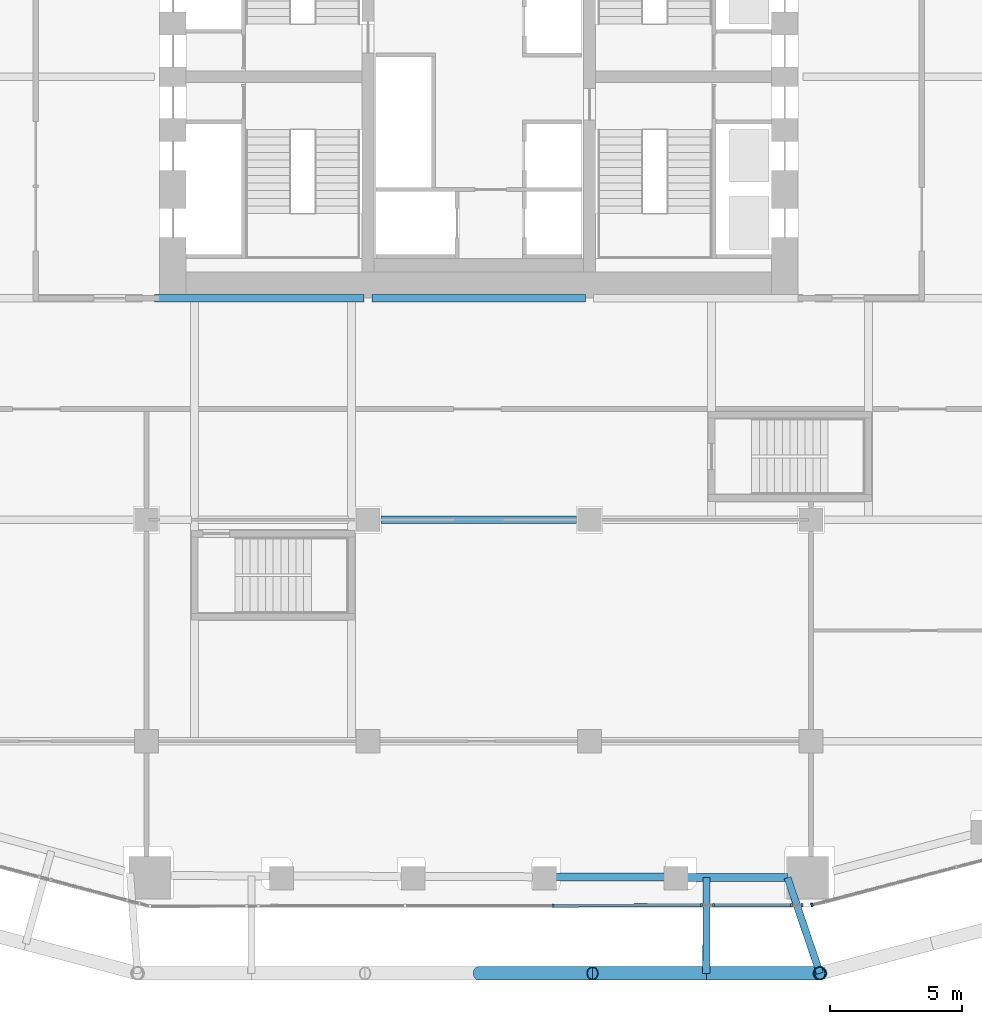
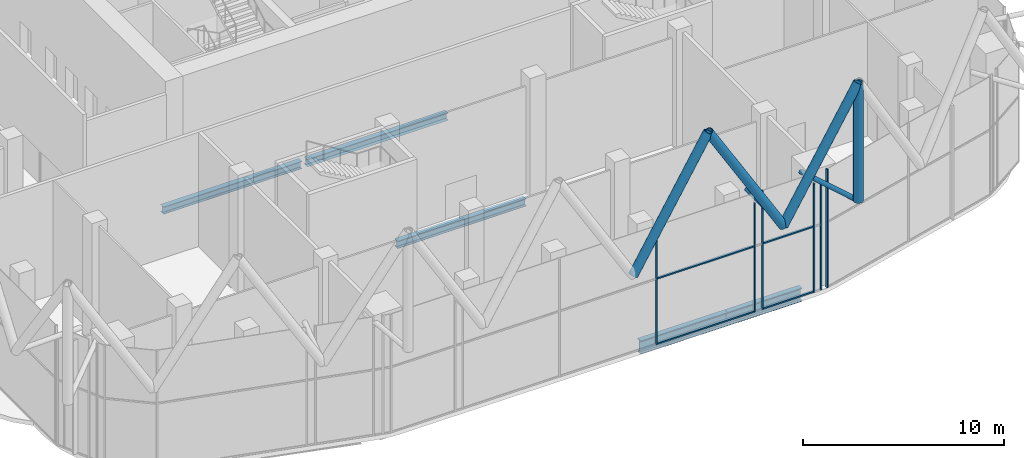
# One storey, part 5 of 34: 16 members, 5 beams, 5 elements without a shape of their own.
"""IFC4 building model written with IfcOpenShell, lengths in metres."""

import ifcopenshell
import ifcopenshell.guid

model = None  # the IFC model being written
_history = None  # IfcOwnerHistory: only IFC2X3 demands one
_inside = {}  # id of a spatial element -> (the spatial element, [elements in it])
_under = {}  # id of a project, library or spatial element -> (it, [spatial elements below it])
_declared = {}  # id of a project -> (the project, [libraries it declares])
_typed = {}  # id of a type object -> (the type object, [elements of that type])
_made_of = {}  # id of a material, layer set ... -> (it, [elements and type objects made of it])


def new_model(schema):
    """Start an empty IFC model of exactly this schema.

    Asked for "IFC4X3", IfcOpenShell would pick the latest addendum, in which some entities
    have other attributes; the version numbers below select the first issue.
    IFC2X3 requires an IfcOwnerHistory on every rooted entity: one is made here for all.
    """
    global model, _history
    if schema == "IFC4X3":
        model = ifcopenshell.file(schema_version=(4, 3, 0, 0))
    else:
        model = ifcopenshell.file(schema=schema)
    _inside.clear()
    _under.clear()
    _declared.clear()
    _typed.clear()
    _made_of.clear()
    _history = None
    if model.schema == "IFC2X3":
        org = make("IfcOrganization", Name="unknown")
        user = make(
            "IfcPersonAndOrganization",
            ThePerson=make("IfcPerson", FamilyName="unknown"),
            TheOrganization=org,
        )
        app = make(
            "IfcApplication",
            ApplicationDeveloper=org,
            Version="unknown",
            ApplicationFullName="unknown",
            ApplicationIdentifier="unknown",
        )
        _history = make(
            "IfcOwnerHistory",
            OwningUser=user,
            OwningApplication=app,
            ChangeAction="ADDED",
            CreationDate=0,
        )
    return model


def make(cls, **values):
    """One entity of the class cls with the attributes given. An attribute that is None is left unset."""
    return model.create_entity(
        cls, **{name: value for name, value in values.items() if value is not None}
    )


def rooted(cls, **values):
    """An entity with a GlobalId (a new one), such as an element, a storey or a relation."""
    return make(cls, GlobalId=ifcopenshell.guid.new(), OwnerHistory=_history, **values)


def si_unit(unit_type, name, prefix=None):
    """IfcSIUnit, for example si_unit("LENGTHUNIT", "METRE", prefix="MILLI")."""
    return make("IfcSIUnit", UnitType=unit_type, Prefix=prefix, Name=name)


def assignment(units):
    """IfcUnitAssignment: the units of a project."""
    return None if units is None else make("IfcUnitAssignment", Units=units)


def point(xyz):
    """IfcCartesianPoint."""
    return None if xyz is None else make("IfcCartesianPoint", Coordinates=xyz)


def direction(xyz):
    """IfcDirection."""
    return None if xyz is None else make("IfcDirection", DirectionRatios=xyz)


def frame(location, z_axis=None, x_axis=None):
    """IfcAxis2Placement3D, a coordinate frame: its origin and axes. An axis left out is left unset."""
    return make(
        "IfcAxis2Placement3D",
        Location=point(location),
        Axis=direction(z_axis),
        RefDirection=direction(x_axis),
    )


def frame_2d(location, x_axis=None):
    """IfcAxis2Placement2D, a coordinate frame in the plane: its origin and x axis."""
    return make(
        "IfcAxis2Placement2D", Location=point(location), RefDirection=direction(x_axis)
    )


def origin():
    """The frame at (0, 0, 0) with its axes left unset."""
    return frame((0.0, 0.0, 0.0))


def origin_2d():
    """The frame at (0, 0) in the plane with its x axis left unset."""
    return frame_2d((0.0, 0.0))


def place(relative_to, where):
    """IfcLocalPlacement: puts the frame where relative to a parent placement (None: the world)."""
    return make(
        "IfcLocalPlacement", PlacementRelTo=relative_to, RelativePlacement=where
    )


def context(
    kind, dimensions, precision=None, world=None, true_north=None, identifier=None
):
    """IfcGeometricRepresentationContext, for example the 3D "Model" context."""
    return make(
        "IfcGeometricRepresentationContext",
        ContextIdentifier=identifier,
        ContextType=kind,
        CoordinateSpaceDimension=dimensions,
        Precision=precision,
        WorldCoordinateSystem=world,
        TrueNorth=true_north,
    )


def subcontext(parent, identifier, kind, view, scale=None):
    """IfcGeometricRepresentationSubContext, for example "Body" below "Model"."""
    return make(
        "IfcGeometricRepresentationSubContext",
        ContextIdentifier=identifier,
        ContextType=kind,
        ParentContext=parent,
        TargetScale=scale,
        TargetView=view,
    )


def project(units=None, contexts=None):
    """IfcProject with its units and contexts."""
    return rooted(
        "IfcProject",
        Name="project",
        RepresentationContexts=contexts,
        UnitsInContext=assignment(units),
    )


def spatial(cls, under=None, at=None, **own):
    """A site, building, storey or space (cls), placed at a placement, below another one or the project."""
    s = rooted(cls, ObjectPlacement=at, **own)
    if under is not None:
        _under.setdefault(under.id(), (under, []))[1].append(s)
    return s


def profile(cls, at=None, kind="AREA", **sizes):
    """A parametric profile (cls). Its sizes go by their IFC names, for example OverallWidth=200.0."""
    return make(cls, ProfileType=kind, Position=at, **sizes)


def rectangle(**sizes):
    """IfcRectangleProfileDef."""
    return profile("IfcRectangleProfileDef", **sizes)


def hollow_circle(**sizes):
    """IfcCircleHollowProfileDef."""
    return profile("IfcCircleHollowProfileDef", **sizes)


def i_section(**sizes):
    """IfcIShapeProfileDef."""
    return profile("IfcIShapeProfileDef", **sizes)


def extrude(swept, where, along, depth):
    """IfcExtrudedAreaSolid: the profile swept, set in the frame where, extruded along a direction by depth."""
    return make(
        "IfcExtrudedAreaSolid",
        SweptArea=swept,
        Position=where,
        ExtrudedDirection=direction(along),
        Depth=depth,
    )


def shape(context_of_items, identifier, shape_type, items):
    """IfcShapeRepresentation: the items that make up one representation, for example the "Body"."""
    return make(
        "IfcShapeRepresentation",
        ContextOfItems=context_of_items,
        RepresentationIdentifier=identifier,
        RepresentationType=shape_type,
        Items=items,
    )


def material(Name=None, Category=None):
    """IfcMaterial."""
    return make("IfcMaterial", Name=Name, Category=Category)


def layer(
    of_material, thickness, ventilated=None, Name=None, Category=None, Priority=None
):
    """IfcMaterialLayer: one layer of a wall or slab, of a material (None: an air gap)."""
    return make(
        "IfcMaterialLayer",
        Material=of_material,
        LayerThickness=thickness,
        IsVentilated=ventilated,
        Name=Name,
        Category=Category,
        Priority=Priority,
    )


def layer_set(layers, Name=None):
    """IfcMaterialLayerSet."""
    return make("IfcMaterialLayerSet", MaterialLayers=layers, LayerSetName=Name)


def material_profile(
    of_material, cross_section, Name=None, Category=None, Priority=None
):
    """IfcMaterialProfile: a cross section and its material."""
    return make(
        "IfcMaterialProfile",
        Name=Name,
        Material=of_material,
        Profile=cross_section,
        Priority=Priority,
        Category=Category,
    )


def profile_set(profiles, Name=None, composite=None):
    """IfcMaterialProfileSet."""
    return make(
        "IfcMaterialProfileSet",
        Name=Name,
        MaterialProfiles=profiles,
        CompositeProfile=composite,
    )


def made_of(thing, what):
    """Note that an element or type object is made of a material, layer set ...; save() writes the relation."""
    if what is not None:
        _made_of.setdefault(what.id(), (what, []))[1].append(thing)
    return thing


def type_object(cls, material=None, **own):
    """A type object (cls), such as IfcWallType, which elements share."""
    return made_of(rooted(cls, **own), material)


def element(
    cls,
    number,
    at=None,
    inside=None,
    cuts=None,
    type_object=None,
    material=None,
    context=None,
    identifier="Body",
    shape_type=None,
    held_by="IfcProductDefinitionShape",
    body=None,
    shapes=None,
    **own,
):
    """One element of the class cls, such as IfcWall. Its Tag is "e" and its number.

    at: its placement. inside: the storey or other place that contains it. cuts: it is an
    opening in that element (IfcRelVoidsElement). A single representation is given by context,
    identifier, shape_type and body (its items); several are given by shapes. held_by: the class
    of the entity that holds the representations. save() writes the other relations.
    """
    e = rooted(cls, Tag="e%d" % number, ObjectPlacement=at, **own)
    if body is not None:
        shapes = [shape(context, identifier, shape_type, body)]
    if shapes is not None:
        e.Representation = make(held_by, Representations=shapes)
    if inside is not None:
        _inside.setdefault(inside.id(), (inside, []))[1].append(e)
    if cuts is not None:
        rooted(
            "IfcRelVoidsElement", RelatingBuildingElement=cuts, RelatedOpeningElement=e
        )
    if type_object is not None:
        _typed.setdefault(type_object.id(), (type_object, []))[1].append(e)
    return made_of(e, material)


def aggregate(whole, parts):
    """IfcRelAggregates: a whole, such as a stair, and the parts it consists of."""
    return rooted("IfcRelAggregates", RelatingObject=whole, RelatedObjects=parts)


def save(model, path):
    """Write the relations noted so far, then the file.

    IfcRelAggregates (storeys below a building ...), IfcRelContainedInSpatialStructure (elements
    in a storey), IfcRelDefinesByType, IfcRelAssociatesMaterial and IfcRelDeclares: one each for
    every whole, place, type object, material and project.
    """
    for whole, parts in _under.values():
        aggregate(whole, parts)
    for where, things in _inside.values():
        rooted(
            "IfcRelContainedInSpatialStructure",
            RelatedElements=things,
            RelatingStructure=where,
        )
    for kind, things in _typed.values():
        rooted("IfcRelDefinesByType", RelatedObjects=things, RelatingType=kind)
    for what, things in _made_of.values():
        rooted("IfcRelAssociatesMaterial", RelatedObjects=things, RelatingMaterial=what)
    for by, libraries in _declared.values():
        rooted("IfcRelDeclares", RelatingContext=by, RelatedDefinitions=libraries)
    model.write(path)


model = new_model("IFC4")

# Units and contexts
model_context = context("Model", 3, precision=1e-05, world=origin(), true_north=direction((0.0, 1.0)))
body_context = subcontext(model_context, "Body", "Model", "MODEL_VIEW")
ifc_project = project(units=[si_unit("LENGTHUNIT", "METRE"), si_unit("AREAUNIT", "SQUARE_METRE"), si_unit("VOLUMEUNIT", "CUBIC_METRE"), si_unit("PLANEANGLEUNIT", "RADIAN"), si_unit("MASSUNIT", "GRAM", prefix="KILO")], contexts=[model_context])

# Site, building, storey
site_placement = place(None, origin())
site = spatial("IfcSite", under=ifc_project, at=site_placement, CompositionType="ELEMENT")
building_placement = place(site_placement, origin())
building = spatial("IfcBuilding", under=site, at=building_placement, Name="Marenta Gate Hotel Tower", CompositionType="ELEMENT")
storey_placement = place(building_placement, frame((0.0, 0.0, 97.699951171875)))
storey = spatial("IfcBuildingStorey", under=building, at=storey_placement, Name="L21", CompositionType="ELEMENT", Elevation=97.699951171875)

# Members
ifc_material_1 = material(Name="Steel S355J2W", Category="steel")
ifc_material_profile_1 = material_profile(ifc_material_1, hollow_circle(Radius=0.25390625, WallThickness=0.02490234375, at=origin_2d()), Name="CHS 508x25")
ifc_profile_set_1 = profile_set([ifc_material_profile_1], Name="Steel S355J2W")
member_type_1 = type_object("IfcMemberType", Name="Diagrid corner post Z2 CHS 508x25", PredefinedType="POST", material=ifc_profile_set_1)
member_1_placement = place(storey_placement, frame((12.93896484375, -25.60009765625, 6.739990234375), z_axis=(0.0, 0.0, 1.0), x_axis=(1.0, 0.0, 0.0)))
element("IfcMember", 1, at=member_1_placement, inside=storey, type_object=member_type_1, Name="L21-DR-3", PredefinedType="POST", context=body_context, shape_type="SweptSolid", body=[
    extrude(hollow_circle(Radius=0.25390625, WallThickness=0.02490234375, at=origin_2d()), origin(), (0.0, 0.0, 1.0), 7.199951171875),
])
ifc_material_2 = material(Name="Steel S355J2W", Category="steel")
ifc_material_profile_2 = material_profile(ifc_material_2, hollow_circle(Radius=0.25390625, WallThickness=0.0400390625, at=origin_2d()), Name="CHS 508x40")
ifc_profile_set_2 = profile_set([ifc_material_profile_2], Name="Steel S355J2W")
member_type_2 = type_object("IfcMemberType", Name="Diagrid diagonal Z2 CHS 508x40", PredefinedType="BRACE", material=ifc_profile_set_2)
for number, where, z_axis, x_axis, name in (
    (2, (8.6259765625, -25.60009765625, 6.739990234375), (0.513883902774, 0.0, 0.857859740558), (0.0, 1.0, 0.0), "L21-DG-15"),
    (3, (8.6259765625, -25.60009765625, 6.739990234375), (-0.513883902774, 0.0, 0.857859740558), (0.0, -1.0, 0.0), "L21-DG-16"),
    (4, (0.0, -25.60009765625, 6.739990234375), (0.513883902774, 0.0, 0.857859740558), (0.0, 1.0, 0.0), "L21-DG-17"),
):
    element("IfcMember", number, at=place(storey_placement, frame(where, z_axis=z_axis, x_axis=x_axis)), inside=storey, type_object=member_type_2, Name=name, PredefinedType="BRACE", context=body_context, shape_type="SweptSolid", body=[
        extrude(hollow_circle(Radius=0.25390625, WallThickness=0.0400390625, at=origin_2d()), origin(), (0.0, 0.0, 1.0), 8.392822265625),
    ])

# Beams
ifc_material_3 = material(Name="Steel S355", Category="steel")
ifc_material_profile_3 = material_profile(ifc_material_3, i_section(OverallWidth=0.302978515625, OverallDepth=0.81396484375, WebThickness=0.030029296875, FlangeThickness=0.052001953125, FilletRadius=0.030029296875, at=origin_2d()), Name="HEM 800")
ifc_profile_set_3 = profile_set([ifc_material_profile_3], Name="Steel S355")
beam_type_1 = type_object("IfcBeamType", Name="Edge beam HEM 800", PredefinedType="SPANDREL", material=ifc_profile_set_3)
beam_1_placement = place(storey_placement, frame((11.715087890625, -21.97021484375, -0.6669921875), z_axis=(-0.999994885886, 0.003198156117, 0.0), x_axis=(-0.003198156117, -0.999994885886, 0.0)))
element("IfcBeam", 5, at=beam_1_placement, inside=storey, type_object=beam_type_1, Name="L21-EB-30", PredefinedType="SPANDREL", context=body_context, shape_type="SweptSolid", body=[
    extrude(i_section(OverallWidth=0.302978515625, OverallDepth=0.81396484375, WebThickness=0.030029296875, FlangeThickness=0.052001953125, FilletRadius=0.030029296875, at=origin_2d()), origin(), (0.0, 0.0, 1.0), 4.27490234375),
])
beam_2_placement = place(storey_placement, frame((7.520263671875, -21.956787109375, -0.6669921875), z_axis=(-0.999994943002, 0.003180247012, 0.0), x_axis=(-0.003180247012, -0.999994943002, 0.0)))
element("IfcBeam", 6, at=beam_2_placement, inside=storey, type_object=beam_type_1, Name="L21-EB-31", PredefinedType="SPANDREL", context=body_context, shape_type="SweptSolid", body=[
    extrude(i_section(OverallWidth=0.302978515625, OverallDepth=0.81396484375, WebThickness=0.030029296875, FlangeThickness=0.052001953125, FilletRadius=0.030029296875, at=origin_2d()), origin(), (0.0, 0.0, 1.0), 5.066650390625),
])

# Members
ifc_material_4 = material(Name="Steel S355J2W", Category="steel")
ifc_material_profile_4 = material_profile(ifc_material_4, hollow_circle(Radius=0.136474609375, WallThickness=0.012451171875, at=origin_2d()), Name="CHS 273x12.5")
ifc_profile_set_4 = profile_set([ifc_material_profile_4], Name="Steel S355J2W")
member_type_3 = type_object("IfcMemberType", Name="Floor tie CHS 273x12.5", PredefinedType="STRUT", material=ifc_profile_set_4)
member_2_placement = place(storey_placement, frame((12.93896484375, -25.60009765625, 6.739990234375), z_axis=(-0.321582426358, 0.94688158872, 0.0), x_axis=(-0.94688158872, -0.321582426358, 0.0)))
element("IfcMember", 7, at=member_2_placement, inside=storey, type_object=member_type_3, Name="L21-DR-13", PredefinedType="STRUT", context=body_context, shape_type="SweptSolid", body=[
    extrude(hollow_circle(Radius=0.136474609375, WallThickness=0.012451171875, at=origin_2d()), origin(), (0.0, 0.0, 1.0), 3.826171875),
])
member_3_placement = place(storey_placement, frame((8.6259765625, -25.60009765625, 6.739990234375), z_axis=(0.003225789668, 0.999994797127, 0.0), x_axis=(-0.999994797127, 0.003225789668, 0.0)))
element("IfcMember", 8, at=member_3_placement, inside=storey, type_object=member_type_3, Name="L21-DR-14", PredefinedType="STRUT", context=body_context, shape_type="SweptSolid", body=[
    extrude(hollow_circle(Radius=0.136474609375, WallThickness=0.012451171875, at=origin_2d()), origin(), (0.0, 0.0, 1.0), 3.6328125),
])

# Beams
ifc_material_5 = material(Name="Steel S355", Category="steel")
ifc_material_profile_5 = material_profile(ifc_material_5, i_section(OverallWidth=0.300048828125, OverallDepth=0.449951171875, WebThickness=0.013916015625, FlangeThickness=0.02587890625, FilletRadius=0.027099609375, at=origin_2d()), Name="HEB 450")
ifc_profile_set_5 = profile_set([ifc_material_profile_5], Name="Steel S355")
beam_type_2 = type_object("IfcBeamType", Name="Girder HEB 450", PredefinedType="BEAM", material=ifc_profile_set_5)
beam_3_placement = place(storey_placement, frame((-3.699951171875, -8.39990234375, -0.48486328125), z_axis=(1.0, 0.0, 0.0), x_axis=(0.0, 1.0, 0.0)))
element("IfcBeam", 9, at=beam_3_placement, inside=storey, type_object=beam_type_2, Name="L21-GD-12", PredefinedType="BEAM", context=body_context, shape_type="SweptSolid", body=[
    extrude(i_section(OverallWidth=0.300048828125, OverallDepth=0.449951171875, WebThickness=0.013916015625, FlangeThickness=0.02587890625, FilletRadius=0.027099609375, at=origin_2d()), origin(), (0.0, 0.0, 1.0), 7.39990234375),
])
beam_4_placement = place(storey_placement, frame((-12.300048828125, 0.0, -0.48486328125), z_axis=(1.0, 0.0, 0.0), x_axis=(0.0, 1.0, 0.0)))
element("IfcBeam", 10, at=beam_4_placement, inside=storey, type_object=beam_type_2, Name="L21-GD-18", PredefinedType="BEAM", context=body_context, shape_type="SweptSolid", body=[
    extrude(i_section(OverallWidth=0.300048828125, OverallDepth=0.449951171875, WebThickness=0.013916015625, FlangeThickness=0.02587890625, FilletRadius=0.027099609375, at=origin_2d()), origin(), (0.0, 0.0, 1.0), 7.948486328125),
])
beam_5_placement = place(storey_placement, frame((-4.048583984375, 0.0, -0.48486328125), z_axis=(1.0, 0.0, 0.0), x_axis=(0.0, 1.0, 0.0)))
element("IfcBeam", 11, at=beam_5_placement, inside=storey, type_object=beam_type_2, Name="L21-GD-19", PredefinedType="BEAM", context=body_context, shape_type="SweptSolid", body=[
    extrude(i_section(OverallWidth=0.300048828125, OverallDepth=0.449951171875, WebThickness=0.013916015625, FlangeThickness=0.02587890625, FilletRadius=0.027099609375, at=origin_2d()), origin(), (0.0, 0.0, 1.0), 8.09716796875),
])

# Curtain wall, member
ifc_material_6 = material(Name="Tinted insulated glass in bronze anodised frame", Category="glass")
ifc_layer = layer(ifc_material_6, 0.1298828125)
ifc_layer_set = layer_set([ifc_layer], Name="Tinted insulated glass in bronze anodised frame")
curtain_wall_type = type_object("IfcCurtainWallType", Name="Sky lobby glazing CW2", PredefinedType="NOTDEFINED", material=ifc_layer_set)
curtain_wall_1_placement = place(storey_placement, origin())
curtain_wall_1 = element("IfcCurtainWall", 12, at=curtain_wall_1_placement, inside=storey, type_object=curtain_wall_type, Name="CW2 run G21", PredefinedType="NOTDEFINED")
ifc_material_7 = material(Name="Bronze anodised aluminium", Category="aluminium")
ifc_material_profile_6 = material_profile(ifc_material_7, rectangle(XDim=0.1298828125, YDim=0.080078125, at=origin_2d()), Name="Mullion CW2 80x130 bronze anodised aluminium")
ifc_profile_set_6 = profile_set([ifc_material_profile_6], Name="Bronze anodised aluminium")
member_type_4 = type_object("IfcMemberType", Name="Mullion CW2 80x130 bronze anodised aluminium", PredefinedType="MULLION", material=ifc_profile_set_6)
member_4_placement = place(storey_placement, frame((2.80810546875, -23.03173828125, 0.0), z_axis=(0.0, 0.0, 1.0), x_axis=(-0.001363166999, 0.999999070887, 0.0)))
member_4 = element("IfcMember", 13, at=member_4_placement, type_object=member_type_4, Name="CW2 mullion 3", PredefinedType="MULLION", context=body_context, shape_type="SweptSolid", body=[
    extrude(rectangle(XDim=0.1298828125, YDim=0.080078125, at=origin_2d()), origin(), (0.0, 0.0, 1.0), 7.199951171875),
])

curtain_wall_2_placement = place(storey_placement, origin())
curtain_wall_2 = element("IfcCurtainWall", 14, at=curtain_wall_2_placement, inside=storey, type_object=curtain_wall_type, Name="CW2 run G22", PredefinedType="NOTDEFINED")
member_5_placement = place(storey_placement, frame((8.44775390625, -23.02392578125, 0.0), z_axis=(0.0, 0.0, 1.0), x_axis=(-0.001324502144, 0.999999122847, 0.0)))
member_5 = element("IfcMember", 15, at=member_5_placement, type_object=member_type_4, Name="CW2 mullion 1", PredefinedType="MULLION", context=body_context, shape_type="SweptSolid", body=[
    extrude(rectangle(XDim=0.1298828125, YDim=0.080078125, at=origin_2d()), origin(), (0.0, 0.0, 1.0), 6.6005859375),
])
aggregate(curtain_wall_2, [member_5])

curtain_wall_3_placement = place(storey_placement, origin())
curtain_wall_3 = element("IfcCurtainWall", 16, at=curtain_wall_3_placement, inside=storey, type_object=curtain_wall_type, Name="CW2 run G23", PredefinedType="NOTDEFINED")
member_6_placement = place(storey_placement, frame((8.90087890625, -23.0234375, 0.0), z_axis=(0.0, 0.0, 1.0), x_axis=(-0.001383918211, 0.999999042385, 0.0)))
member_6 = element("IfcMember", 17, at=member_6_placement, type_object=member_type_4, Name="CW2 mullion 1", PredefinedType="MULLION", context=body_context, shape_type="SweptSolid", body=[
    extrude(rectangle(XDim=0.1298828125, YDim=0.080078125, at=origin_2d()), origin(), (0.0, 0.0, 1.0), 7.199951171875),
])

# Curtain wall, members
curtain_wall_4_placement = place(storey_placement, origin())
curtain_wall_4 = element("IfcCurtainWall", 18, at=curtain_wall_4_placement, inside=storey, type_object=curtain_wall_type, Name="CW2 run G24", PredefinedType="NOTDEFINED")
member_7_placement = place(storey_placement, frame((11.86328125, -23.019287109375, 0.0), z_axis=(0.0, 0.0, 1.0), x_axis=(-0.001254704164, 0.999999212858, 0.0)))
member_7 = element("IfcMember", 19, at=member_7_placement, type_object=member_type_4, Name="CW2 mullion 1", PredefinedType="MULLION", context=body_context, shape_type="SweptSolid", body=[
    extrude(rectangle(XDim=0.1298828125, YDim=0.080078125, at=origin_2d()), origin(), (0.0, 0.0, 1.0), 6.6005859375),
])
member_8_placement = place(storey_placement, frame((12.26171875, -23.018798828125, 0.0), z_axis=(0.0, 0.0, 1.0), x_axis=(-0.001254704164, 0.999999212858, 0.0)))
member_8 = element("IfcMember", 20, at=member_8_placement, type_object=member_type_4, Name="CW2 mullion 2", PredefinedType="MULLION", context=body_context, shape_type="SweptSolid", body=[
    extrude(rectangle(XDim=0.1298828125, YDim=0.080078125, at=origin_2d()), origin(), (0.0, 0.0, 1.0), 6.6005859375),
])
aggregate(curtain_wall_4, [member_7, member_8])

# Curtain wall, member
curtain_wall_5_placement = place(storey_placement, origin())
curtain_wall_5 = element("IfcCurtainWall", 21, at=curtain_wall_5_placement, inside=storey, type_object=curtain_wall_type, Name="CW2 run G25", PredefinedType="NOTDEFINED")
member_9_placement = place(storey_placement, frame((12.63720703125, -23.008056640625, 0.0), z_axis=(0.0, 0.0, 1.0), x_axis=(-0.253366634412, 0.967370326487, 0.0)))
member_9 = element("IfcMember", 22, at=member_9_placement, type_object=member_type_4, Name="CW2 mullion 1", PredefinedType="MULLION", context=body_context, shape_type="SweptSolid", body=[
    extrude(rectangle(XDim=0.1298828125, YDim=0.080078125, at=origin_2d()), origin(), (0.0, 0.0, 1.0), 7.199951171875),
])
aggregate(curtain_wall_5, [member_9])

# Member
ifc_material_8 = material(Name="Bronze anodised aluminium", Category="aluminium")
ifc_material_profile_7 = material_profile(ifc_material_8, rectangle(XDim=0.1298828125, YDim=0.080078125, at=origin_2d()), Name="Transom CW2 80x130 bronze anodised aluminium")
ifc_profile_set_7 = profile_set([ifc_material_profile_7], Name="Bronze anodised aluminium")
member_type_5 = type_object("IfcMemberType", Name="Transom CW2 80x130 bronze anodised aluminium", PredefinedType="USERDEFINED", material=ifc_profile_set_7)
member_10_placement = place(storey_placement, frame((2.84814453125, -23.031494140625, 0.0400390625), z_axis=(0.999999073404, 0.001361319659, 0.0), x_axis=(-0.001361319659, 0.999999073404, 0.0)))
member_10 = element("IfcMember", 23, at=member_10_placement, type_object=member_type_5, Name="CW2 transom 3.1", ObjectType="TRANSOM", PredefinedType="USERDEFINED", context=body_context, shape_type="SweptSolid", body=[
    extrude(rectangle(XDim=0.1298828125, YDim=0.080078125, at=origin_2d()), origin(), (0.0, 0.0, 1.0), 5.5595703125),
])

member_11_placement = place(storey_placement, frame((2.84814453125, -23.031494140625, 4.0), z_axis=(0.999999073404, 0.001361319659, 0.0), x_axis=(-0.001361319659, 0.999999073404, 0.0)))
member_11 = element("IfcMember", 24, at=member_11_placement, type_object=member_type_5, Name="CW2 transom 3.2", ObjectType="TRANSOM", PredefinedType="USERDEFINED", context=body_context, shape_type="SweptSolid", body=[
    extrude(rectangle(XDim=0.1298828125, YDim=0.080078125, at=origin_2d()), origin(), (0.0, 0.0, 1.0), 5.5595703125),
])

aggregate(curtain_wall_1, [member_4, member_10, member_11])

member_12_placement = place(storey_placement, frame((8.94091796875, -23.023193359375, 0.0400390625), z_axis=(0.999999081815, 0.001355127069, 0.0), x_axis=(-0.001355127069, 0.999999081815, 0.0)))
member_12 = element("IfcMember", 25, at=member_12_placement, type_object=member_type_5, Name="CW2 transom 1.1", ObjectType="TRANSOM", PredefinedType="USERDEFINED", context=body_context, shape_type="SweptSolid", body=[
    extrude(rectangle(XDim=0.1298828125, YDim=0.080078125, at=origin_2d()), origin(), (0.0, 0.0, 1.0), 2.882568359375),
])

member_13_placement = place(storey_placement, frame((8.94091796875, -23.023193359375, 4.0), z_axis=(0.999999081815, 0.001355127069, 0.0), x_axis=(-0.001355127069, 0.999999081815, 0.0)))
member_13 = element("IfcMember", 26, at=member_13_placement, type_object=member_type_5, Name="CW2 transom 1.2", ObjectType="TRANSOM", PredefinedType="USERDEFINED", context=body_context, shape_type="SweptSolid", body=[
    extrude(rectangle(XDim=0.1298828125, YDim=0.080078125, at=origin_2d()), origin(), (0.0, 0.0, 1.0), 2.882568359375),
])

aggregate(curtain_wall_3, [member_6, member_12, member_13])

save(model, "model.ifc")
